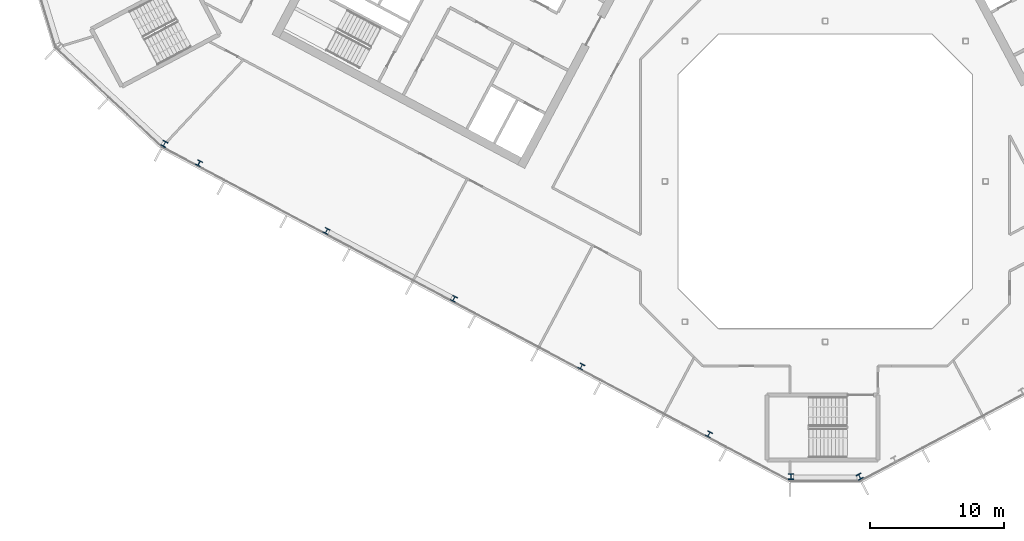
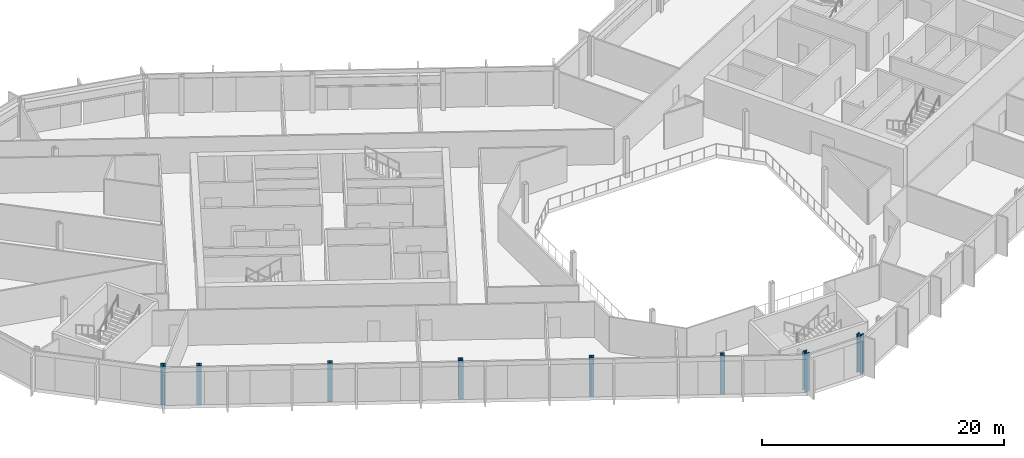
# One storey, part 1 of 26: 8 columns.
"""IFC4 building model written with IfcOpenShell, lengths in metres."""

from ifc_helpers import new_model, si_unit, direction, frame, origin, origin_2d, place, context, subcontext, project, spatial, i_section, extrude, material, material_profile, profile_set, type_object, element, save


model = new_model("IFC4")

# Units and contexts
model_context = context("Model", 3, precision=1e-05, world=origin(), true_north=direction((0.0, 1.0)))
body_context = subcontext(model_context, "Body", "Model", "MODEL_VIEW")
ifc_project = project(units=[si_unit("LENGTHUNIT", "METRE"), si_unit("AREAUNIT", "SQUARE_METRE"), si_unit("VOLUMEUNIT", "CUBIC_METRE"), si_unit("PLANEANGLEUNIT", "RADIAN"), si_unit("MASSUNIT", "GRAM", prefix="KILO")], contexts=[model_context])

# Site, building, storey
site_placement = place(None, origin())
site = spatial("IfcSite", under=ifc_project, at=site_placement, CompositionType="ELEMENT")
building_placement = place(site_placement, origin())
building = spatial("IfcBuilding", under=site, at=building_placement, Name="Cormorant Relay Tower", CompositionType="ELEMENT")
storey_placement = place(building_placement, frame((0.0, 0.0, 205.199951171875)))
storey = spatial("IfcBuildingStorey", under=building, at=storey_placement, Name="L44", CompositionType="ELEMENT", Elevation=205.199951171875)

# Columns
ifc_material_1 = material(Name="Steel ASTM A992 (Fy 345 MPa)", Category="steel")
ifc_material_profile_1 = material_profile(ifc_material_1, i_section(OverallWidth=0.40380859375, OverallDepth=0.406494140625, WebThickness=0.027099609375, FlangeThickness=0.043701171875, FilletRadius=0.01513671875, at=origin_2d()), Name="W360x347")
ifc_profile_set_1 = profile_set([ifc_material_profile_1], Name="Steel ASTM A992 (Fy 345 MPa)")
column_type_1 = type_object("IfcColumnType", Name="Column W360x347", PredefinedType="COLUMN", material=ifc_profile_set_1)
for number, where, z_axis, x_axis, name in (
    (1, (-8.700927734375, -18.919921875, 0.0), (0.0, 0.0, 1.0), (0.882947592859, -0.469471562786, 0.0), "Column L44-004"),
    (2, (-18.237060546875, -13.85009765625, 0.0), (0.0, 0.0, 1.0), (0.882947592859, -0.469471562786, 0.0), "Column L44-006"),
    (3, (-27.77197265625, -8.779052734375, 0.0), (0.0, 0.0, 1.0), (0.882947592859, -0.469471562786, 0.0), "Column L44-011"),
    (4, (-37.30810546875, -3.708984375, 0.0), (0.0, 0.0, 1.0), (0.882947592859, -0.469471562786, 0.0), "Column L44-013"),
    (5, (-46.843994140625, 1.361083984375, 0.0), (0.0, 0.0, 1.0), (0.882947592859, -0.469471562786, 0.0), "Column L44-017"),
):
    element("IfcColumn", number, at=place(storey_placement, frame(where, z_axis=z_axis, x_axis=x_axis)), inside=storey, type_object=column_type_1, Name=name, PredefinedType="COLUMN", context=body_context, shape_type="SweptSolid", body=[
        extrude(i_section(OverallWidth=0.40380859375, OverallDepth=0.406494140625, WebThickness=0.027099609375, FlangeThickness=0.043701171875, FilletRadius=0.01513671875, at=origin_2d()), origin(), (0.0, 0.0, 1.0), 3.900146484375),
    ])
ifc_material_2 = material(Name="Steel ASTM A992 (Fy 345 MPa)", Category="steel")
ifc_material_profile_2 = material_profile(ifc_material_2, i_section(OverallWidth=0.41162109375, OverallDepth=0.434326171875, WebThickness=0.035888671875, FlangeThickness=0.057373046875, FilletRadius=0.01513671875, at=origin_2d()), Name="W360x463")
ifc_profile_set_2 = profile_set([ifc_material_profile_2], Name="Steel ASTM A992 (Fy 345 MPa)")
column_type_2 = type_object("IfcColumnType", Name="Column W360x463", PredefinedType="COLUMN", material=ifc_profile_set_2)
for number, where, z_axis, x_axis, name in (
    (6, (-2.575927734375, -22.083984375, 0.0), (0.0, 0.0, 1.0), (1.0, 0.0, 0.0), "Column L44-001"),
    (7, (2.575927734375, -22.083984375, 0.0), (0.0, 0.0, 1.0), (0.882947592859, 0.469471562786, 0.0), "Column L44-002"),
    (8, (-49.43505859375, 2.803955078125, 0.0), (0.0, 0.0, 1.0), (0.882947592859, -0.469471562786, 0.0), "Column L44-018"),
):
    element("IfcColumn", number, at=place(storey_placement, frame(where, z_axis=z_axis, x_axis=x_axis)), inside=storey, type_object=column_type_2, Name=name, PredefinedType="COLUMN", context=body_context, shape_type="SweptSolid", body=[
        extrude(i_section(OverallWidth=0.41162109375, OverallDepth=0.434326171875, WebThickness=0.035888671875, FlangeThickness=0.057373046875, FilletRadius=0.01513671875, at=origin_2d()), origin(), (0.0, 0.0, 1.0), 3.900146484375),
    ])

save(model, "model.ifc")
